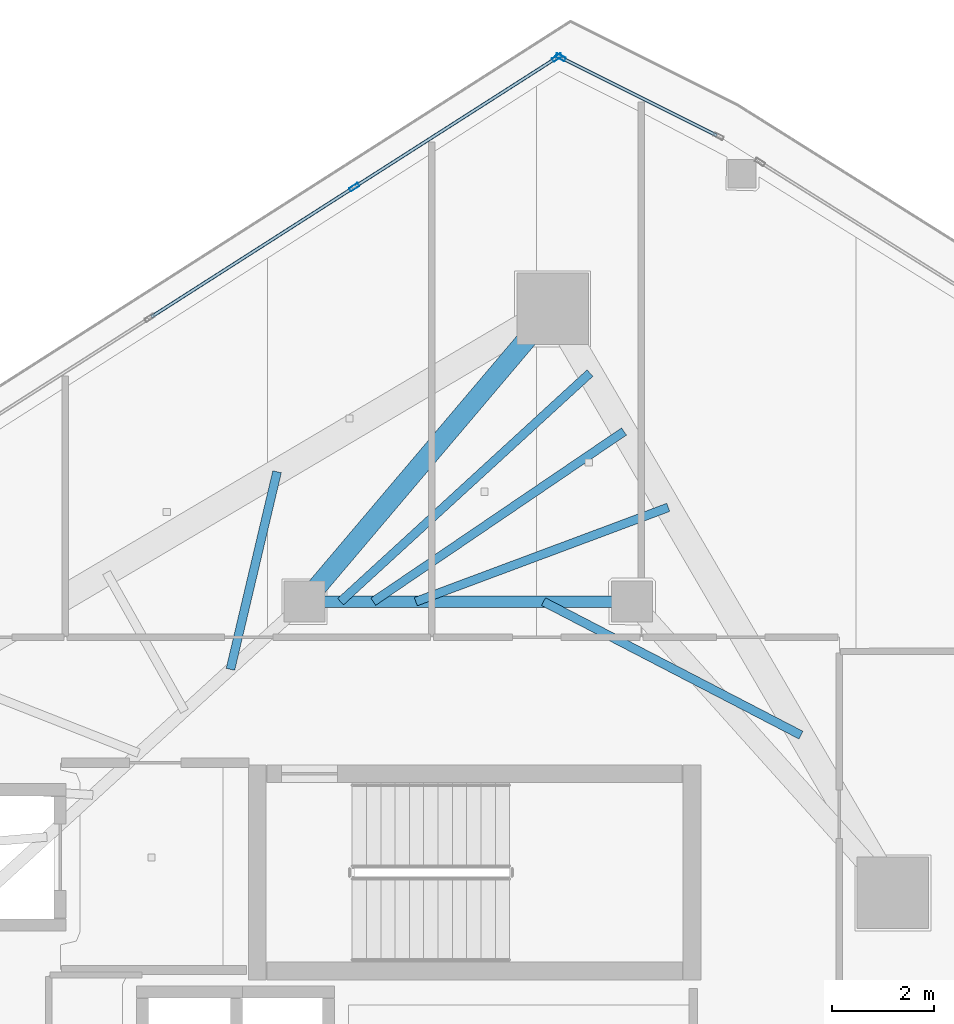
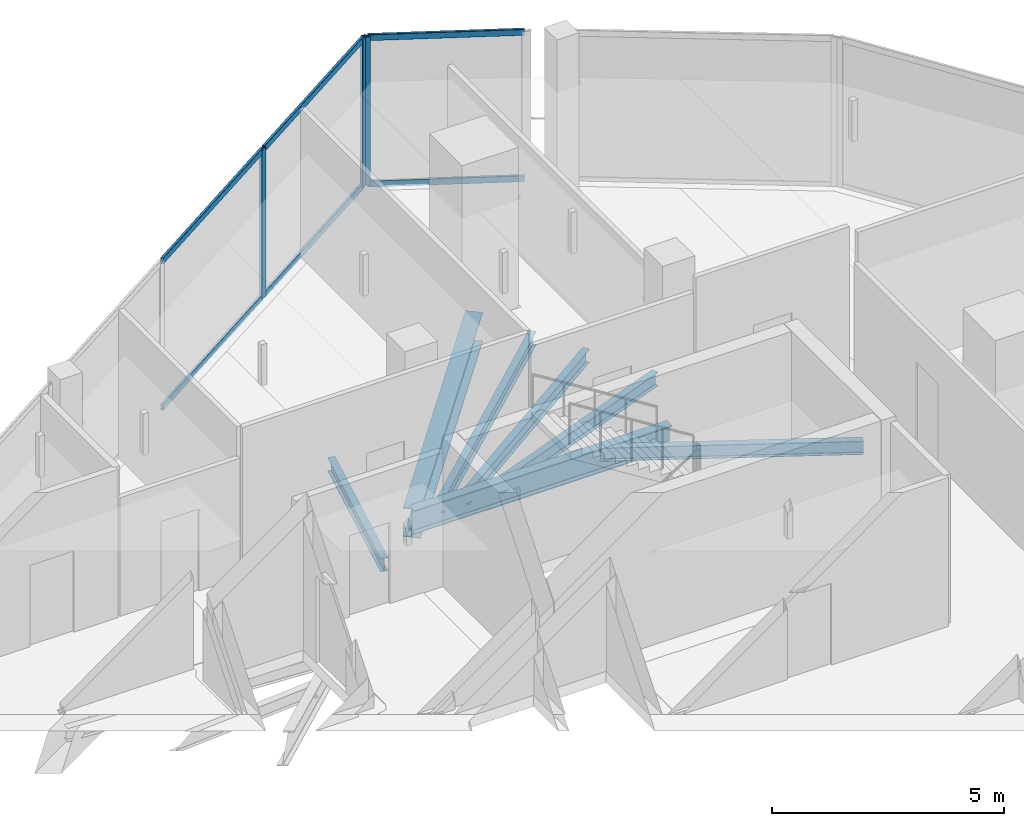
# One storey, part 12 of 25: 9 members, 7 beams, 2 elements without a shape of their own.
"""IFC4 building model written with IfcOpenShell, lengths in metres."""

from ifc_helpers import new_model, si_unit, direction, frame, origin, origin_2d, place, context, subcontext, project, spatial, hollow_rectangle, i_section, extrude, material, layer, layer_set, material_profile, profile_set, type_object, element, aggregate, save


model = new_model("IFC4")

# Units and contexts
model_context = context("Model", 3, precision=1e-05, world=origin(), true_north=direction((0.0, 1.0)))
body_context = subcontext(model_context, "Body", "Model", "MODEL_VIEW")
ifc_project = project(units=[si_unit("LENGTHUNIT", "METRE"), si_unit("AREAUNIT", "SQUARE_METRE"), si_unit("VOLUMEUNIT", "CUBIC_METRE"), si_unit("PLANEANGLEUNIT", "RADIAN"), si_unit("MASSUNIT", "GRAM", prefix="KILO")], contexts=[model_context])

# Site, building, storey
site_placement = place(None, origin())
site = spatial("IfcSite", under=ifc_project, at=site_placement, CompositionType="ELEMENT")
building_placement = place(site_placement, origin())
building = spatial("IfcBuilding", under=site, at=building_placement, Name="Qorvath Tower", CompositionType="ELEMENT")
storey_placement = place(building_placement, frame((0.0, 0.0, 306.0)))
storey = spatial("IfcBuildingStorey", under=building, at=storey_placement, Name="L71", CompositionType="ELEMENT", Elevation=306.0)

# Beams
ifc_material_1 = material(Name="Steel ASTM A992 Grade 50", Category="steel")
ifc_material_profile_1 = material_profile(ifc_material_1, i_section(OverallWidth=0.381103515625, OverallDepth=0.77294921875, WebThickness=0.0166015625, FlangeThickness=0.027099609375, FilletRadius=0.01904296875, at=origin_2d()), Name="W30x173")
ifc_profile_set_1 = profile_set([ifc_material_profile_1], Name="Steel ASTM A992 Grade 50")
beam_type_1 = type_object("IfcBeamType", Name="BM-FG3", PredefinedType="BEAM", material=ifc_profile_set_1)
beam_1_placement = place(storey_placement, frame((-23.60009765625, 11.449951171875, -0.676513671875), z_axis=(0.646321389876, 0.763065305848, 0.0), x_axis=(-0.763065305848, 0.646321389876, 0.0)))
element("IfcBeam", 1, at=beam_1_placement, inside=storey, type_object=beam_type_1, Name="Radial Floor Girder CC1-MC6 L71", PredefinedType="BEAM", context=body_context, shape_type="SweptSolid", body=[
    extrude(i_section(OverallWidth=0.381103515625, OverallDepth=0.77294921875, WebThickness=0.0166015625, FlangeThickness=0.027099609375, FilletRadius=0.01904296875, at=origin_2d()), origin(), (0.0, 0.0, 1.0), 7.50341796875),
])
ifc_material_2 = material(Name="Steel ASTM A992 Grade 50", Category="steel")
ifc_material_profile_2 = material_profile(ifc_material_2, i_section(OverallWidth=0.22998046875, OverallDepth=0.616943359375, WebThickness=0.01318359375, FlangeThickness=0.022216796875, FilletRadius=0.014892578125, at=origin_2d()), Name="W24x94")
ifc_profile_set_2 = profile_set([ifc_material_profile_2], Name="Steel ASTM A992 Grade 50")
beam_type_2 = type_object("IfcBeamType", Name="BM-FG6", PredefinedType="BEAM", material=ifc_profile_set_2)
beam_2_placement = place(storey_placement, frame((-23.60009765625, 11.449951171875, -0.598388671875), z_axis=(1.0, 0.0, 0.0), x_axis=(0.0, 1.0, 0.0)))
element("IfcBeam", 2, at=beam_2_placement, inside=storey, type_object=beam_type_2, Name="Core Ring Girder CC1-CC2 L71", PredefinedType="BEAM", context=body_context, shape_type="SweptSolid", body=[
    extrude(i_section(OverallWidth=0.22998046875, OverallDepth=0.616943359375, WebThickness=0.01318359375, FlangeThickness=0.022216796875, FilletRadius=0.014892578125, at=origin_2d()), origin(), (0.0, 0.0, 1.0), 6.400146484375),
])
ifc_material_3 = material(Name="Steel ASTM A992 Grade 50", Category="steel")
ifc_material_profile_3 = material_profile(ifc_material_3, i_section(OverallWidth=0.1708984375, OverallDepth=0.35107421875, WebThickness=0.0068359375, FlangeThickness=0.009765625, FilletRadius=0.010009765625, at=origin_2d()), Name="W14x30")
ifc_profile_set_3 = profile_set([ifc_material_profile_3], Name="Steel ASTM A992 Grade 50")
beam_type_3 = type_object("IfcBeamType", Name="BM-FJ4", PredefinedType="JOIST", material=ifc_profile_set_3)
beam_3_placement = place(storey_placement, frame((-18.927978515625, 11.449951171875, -0.465576171875), z_axis=(0.887840529015, -0.460151274082, 0.0), x_axis=(0.460151274082, 0.887840529015, 0.0)))
element("IfcBeam", 3, at=beam_3_placement, inside=storey, type_object=beam_type_3, Name="Composite Floor Joist NE2 L71", PredefinedType="JOIST", context=body_context, shape_type="SweptSolid", body=[
    extrude(i_section(OverallWidth=0.1708984375, OverallDepth=0.35107421875, WebThickness=0.0068359375, FlangeThickness=0.009765625, FilletRadius=0.010009765625, at=origin_2d()), origin(), (0.0, 0.0, 1.0), 5.670654296875),
])
beam_4_placement = place(storey_placement, frame((-21.424072265625, 11.449951171875, -0.465576171875), z_axis=(0.936775909139, 0.349929844478, 0.0), x_axis=(-0.349929844478, 0.936775909139, 0.0)))
element("IfcBeam", 4, at=beam_4_placement, inside=storey, type_object=beam_type_3, Name="Composite Floor Joist NE5 L71", PredefinedType="JOIST", context=body_context, shape_type="SweptSolid", body=[
    extrude(i_section(OverallWidth=0.1708984375, OverallDepth=0.35107421875, WebThickness=0.0068359375, FlangeThickness=0.009765625, FilletRadius=0.010009765625, at=origin_2d()), origin(), (0.0, 0.0, 1.0), 5.268798828125),
])
beam_5_placement = place(storey_placement, frame((-22.256103515625, 11.449951171875, -0.465576171875), z_axis=(0.827400561462, 0.56161224247, 0.0), x_axis=(-0.56161224247, 0.827400561462, 0.0)))
element("IfcBeam", 5, at=beam_5_placement, inside=storey, type_object=beam_type_3, Name="Composite Floor Joist NE6 L71", PredefinedType="JOIST", context=body_context, shape_type="SweptSolid", body=[
    extrude(i_section(OverallWidth=0.1708984375, OverallDepth=0.35107421875, WebThickness=0.0068359375, FlangeThickness=0.009765625, FilletRadius=0.010009765625, at=origin_2d()), origin(), (0.0, 0.0, 1.0), 5.925537109375),
])
beam_6_placement = place(storey_placement, frame((-22.89599609375, 11.449951171875, -0.465576171875), z_axis=(0.737232260457, 0.675639396528, 0.0), x_axis=(-0.675639396528, 0.737232260457, 0.0)))
element("IfcBeam", 6, at=beam_6_placement, inside=storey, type_object=beam_type_3, Name="Composite Floor Joist NE7 L71", PredefinedType="JOIST", context=body_context, shape_type="SweptSolid", body=[
    extrude(i_section(OverallWidth=0.1708984375, OverallDepth=0.35107421875, WebThickness=0.0068359375, FlangeThickness=0.009765625, FilletRadius=0.010009765625, at=origin_2d()), origin(), (0.0, 0.0, 1.0), 6.615478515625),
])
beam_7_placement = place(storey_placement, frame((-25.049072265625, 10.126953125, -0.465576171875), z_axis=(0.22966321917, 0.973270160726, 0.0), x_axis=(-0.973270160726, 0.22966321917, 0.0)))
element("IfcBeam", 7, at=beam_7_placement, inside=storey, type_object=beam_type_3, Name="Composite Floor Joist NW6 L71", PredefinedType="JOIST", context=body_context, shape_type="SweptSolid", body=[
    extrude(i_section(OverallWidth=0.1708984375, OverallDepth=0.35107421875, WebThickness=0.0068359375, FlangeThickness=0.009765625, FilletRadius=0.010009765625, at=origin_2d()), origin(), (0.0, 0.0, 1.0), 3.969482421875),
])

# Curtain wall, member
ifc_material_4 = material(Name="Anodised aluminium and triple low-E glass", Category="aluminium")
ifc_layer = layer(ifc_material_4, 0.179931640625)
ifc_layer_set = layer_set([ifc_layer], Name="CW-SYS-4")
curtain_wall_type = type_object("IfcCurtainWallType", Name="CW-SYS-4", PredefinedType="NOTDEFINED", material=ifc_layer_set)
curtain_wall_1_placement = place(storey_placement, origin())
curtain_wall_1 = element("IfcCurtainWall", 8, at=curtain_wall_1_placement, inside=storey, type_object=curtain_wall_type, Name="Curtain Wall CW-4 CW-T-L71-15.1", PredefinedType="NOTDEFINED")
ifc_material_5 = material(Name="Anodised aluminium 6063-T6", Category="aluminium")
ifc_material_profile_4 = material_profile(ifc_material_5, hollow_rectangle(XDim=0.074951171875, YDim=0.199951171875, WallThickness=0.00390625, InnerFilletRadius=0.00390625, OuterFilletRadius=0.008056640625, at=origin_2d()), Name="CWM 200x75")
ifc_profile_set_4 = profile_set([ifc_material_profile_4], Name="Anodised aluminium 6063-T6")
member_type_1 = type_object("IfcMemberType", Name="CWM-200", PredefinedType="MULLION", material=ifc_profile_set_4)
member_1_placement = place(storey_placement, frame((-18.596435546875, 22.09375, 0.0), z_axis=(0.0, 0.0, 1.0), x_axis=(-0.447224921915, -0.894421527703, 0.0)))
member_1 = element("IfcMember", 9, at=member_1_placement, type_object=member_type_1, Name="CW-4 mullion 2", PredefinedType="MULLION", context=body_context, shape_type="SweptSolid", body=[
    extrude(hollow_rectangle(XDim=0.074951171875, YDim=0.199951171875, WallThickness=0.00390625, InnerFilletRadius=0.00390625, OuterFilletRadius=0.008056640625, at=origin_2d()), origin(), (0.0, 0.0, 1.0), 3.909912109375),
])

# Curtain wall, members
curtain_wall_2_placement = place(storey_placement, origin())
curtain_wall_2 = element("IfcCurtainWall", 10, at=curtain_wall_2_placement, inside=storey, type_object=curtain_wall_type, Name="Curtain Wall CW-4 CW-T-L71-16.1", PredefinedType="NOTDEFINED")
member_2_placement = place(storey_placement, frame((-18.661376953125, 22.090087890625, 0.0), z_axis=(0.0, 0.0, 1.0), x_axis=(0.538533107683, -0.842604350765, 0.0)))
member_2 = element("IfcMember", 11, at=member_2_placement, type_object=member_type_1, Name="CW-4 mullion 1", PredefinedType="MULLION", context=body_context, shape_type="SweptSolid", body=[
    extrude(hollow_rectangle(XDim=0.074951171875, YDim=0.199951171875, WallThickness=0.00390625, InnerFilletRadius=0.00390625, OuterFilletRadius=0.008056640625, at=origin_2d()), origin(), (0.0, 0.0, 1.0), 3.909912109375),
])
member_3_placement = place(storey_placement, frame((-22.628173828125, 19.554931640625, 0.0), z_axis=(0.0, 0.0, 1.0), x_axis=(0.538533107683, -0.842604350765, 0.0)))
member_3 = element("IfcMember", 12, at=member_3_placement, type_object=member_type_1, Name="CW-4 mullion 2", PredefinedType="MULLION", context=body_context, shape_type="SweptSolid", body=[
    extrude(hollow_rectangle(XDim=0.074951171875, YDim=0.199951171875, WallThickness=0.00390625, InnerFilletRadius=0.00390625, OuterFilletRadius=0.008056640625, at=origin_2d()), origin(), (0.0, 0.0, 1.0), 3.909912109375),
])

# Member
ifc_material_6 = material(Name="Anodised aluminium 6063-T6", Category="aluminium")
ifc_material_profile_5 = material_profile(ifc_material_6, hollow_rectangle(XDim=0.06494140625, YDim=0.159912109375, WallThickness=0.00341796875, InnerFilletRadius=0.00341796875, OuterFilletRadius=0.007080078125, at=origin_2d()), Name="CWT 160x65")
ifc_profile_set_5 = profile_set([ifc_material_profile_5], Name="Anodised aluminium 6063-T6")
member_type_2 = type_object("IfcMemberType", Name="CWT-160", PredefinedType="USERDEFINED", material=ifc_profile_set_5)
member_4_placement = place(storey_placement, frame((-15.538330078125, 20.564453125, 0.032470703125), z_axis=(-0.894398309629, 0.44727135358, 0.0), x_axis=(-0.44727135358, -0.894398309629, 0.0)))
member_4 = element("IfcMember", 13, at=member_4_placement, type_object=member_type_2, Name="CW-4 transom 1.1", ObjectType="TRANSOM", PredefinedType="USERDEFINED", context=body_context, shape_type="SweptSolid", body=[
    extrude(hollow_rectangle(XDim=0.06494140625, YDim=0.159912109375, WallThickness=0.00341796875, InnerFilletRadius=0.00341796875, OuterFilletRadius=0.007080078125, at=origin_2d()), origin(), (0.0, 0.0, 1.0), 3.381591796875),
])

member_5_placement = place(storey_placement, frame((-15.538330078125, 20.564453125, 3.87744140625), z_axis=(-0.894398309629, 0.44727135358, 0.0), x_axis=(-0.44727135358, -0.894398309629, 0.0)))
member_5 = element("IfcMember", 14, at=member_5_placement, type_object=member_type_2, Name="CW-4 transom 1.2", ObjectType="TRANSOM", PredefinedType="USERDEFINED", context=body_context, shape_type="SweptSolid", body=[
    extrude(hollow_rectangle(XDim=0.06494140625, YDim=0.159912109375, WallThickness=0.00341796875, InnerFilletRadius=0.00341796875, OuterFilletRadius=0.007080078125, at=origin_2d()), origin(), (0.0, 0.0, 1.0), 3.381591796875),
])

aggregate(curtain_wall_1, [member_1, member_4, member_5])

member_6_placement = place(storey_placement, frame((-18.693115234375, 22.070068359375, 0.032470703125), z_axis=(-0.842589974273, -0.538555600894, 0.0), x_axis=(0.538555600894, -0.842589974273, 0.0)))
member_6 = element("IfcMember", 15, at=member_6_placement, type_object=member_type_2, Name="CW-4 transom 1.1", ObjectType="TRANSOM", PredefinedType="USERDEFINED", context=body_context, shape_type="SweptSolid", body=[
    extrude(hollow_rectangle(XDim=0.06494140625, YDim=0.159912109375, WallThickness=0.00341796875, InnerFilletRadius=0.00341796875, OuterFilletRadius=0.007080078125, at=origin_2d()), origin(), (0.0, 0.0, 1.0), 4.632568359375),
])

member_7_placement = place(storey_placement, frame((-18.693115234375, 22.070068359375, 3.87744140625), z_axis=(-0.842589974273, -0.538555600894, 0.0), x_axis=(0.538555600894, -0.842589974273, 0.0)))
member_7 = element("IfcMember", 16, at=member_7_placement, type_object=member_type_2, Name="CW-4 transom 1.2", ObjectType="TRANSOM", PredefinedType="USERDEFINED", context=body_context, shape_type="SweptSolid", body=[
    extrude(hollow_rectangle(XDim=0.06494140625, YDim=0.159912109375, WallThickness=0.00341796875, InnerFilletRadius=0.00341796875, OuterFilletRadius=0.007080078125, at=origin_2d()), origin(), (0.0, 0.0, 1.0), 4.632568359375),
])

member_8_placement = place(storey_placement, frame((-22.65966796875, 19.534912109375, 0.032470703125), z_axis=(-0.842592149435, -0.538552197759, 0.0), x_axis=(0.538552197759, -0.842592149435, 0.0)))
member_8 = element("IfcMember", 17, at=member_8_placement, type_object=member_type_2, Name="CW-4 transom 2.1", ObjectType="TRANSOM", PredefinedType="USERDEFINED", context=body_context, shape_type="SweptSolid", body=[
    extrude(hollow_rectangle(XDim=0.06494140625, YDim=0.159912109375, WallThickness=0.00341796875, InnerFilletRadius=0.00341796875, OuterFilletRadius=0.007080078125, at=origin_2d()), origin(), (0.0, 0.0, 1.0), 4.670166015625),
])

member_9_placement = place(storey_placement, frame((-22.65966796875, 19.534912109375, 3.87744140625), z_axis=(-0.842592149435, -0.538552197759, 0.0), x_axis=(0.538552197759, -0.842592149435, 0.0)))
member_9 = element("IfcMember", 18, at=member_9_placement, type_object=member_type_2, Name="CW-4 transom 2.2", ObjectType="TRANSOM", PredefinedType="USERDEFINED", context=body_context, shape_type="SweptSolid", body=[
    extrude(hollow_rectangle(XDim=0.06494140625, YDim=0.159912109375, WallThickness=0.00341796875, InnerFilletRadius=0.00341796875, OuterFilletRadius=0.007080078125, at=origin_2d()), origin(), (0.0, 0.0, 1.0), 4.670166015625),
])

aggregate(curtain_wall_2, [member_2, member_3, member_6, member_7, member_8, member_9])

save(model, "model.ifc")
